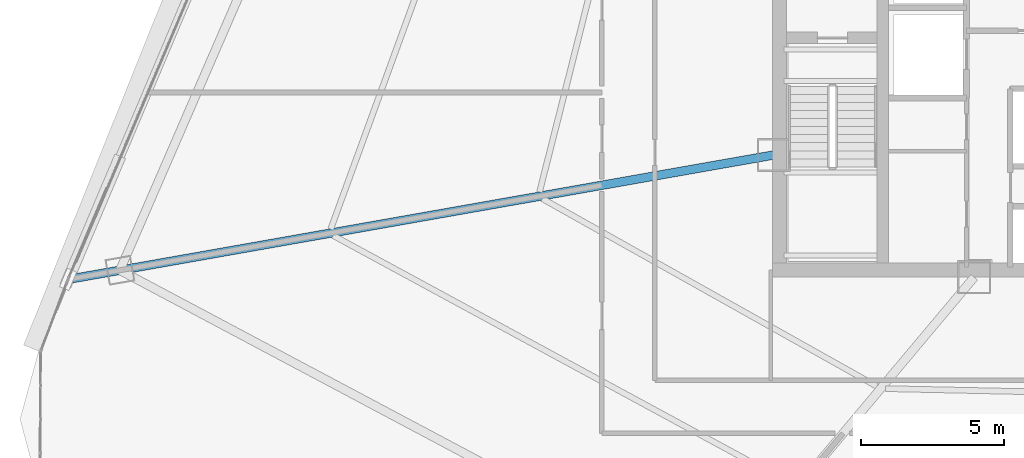
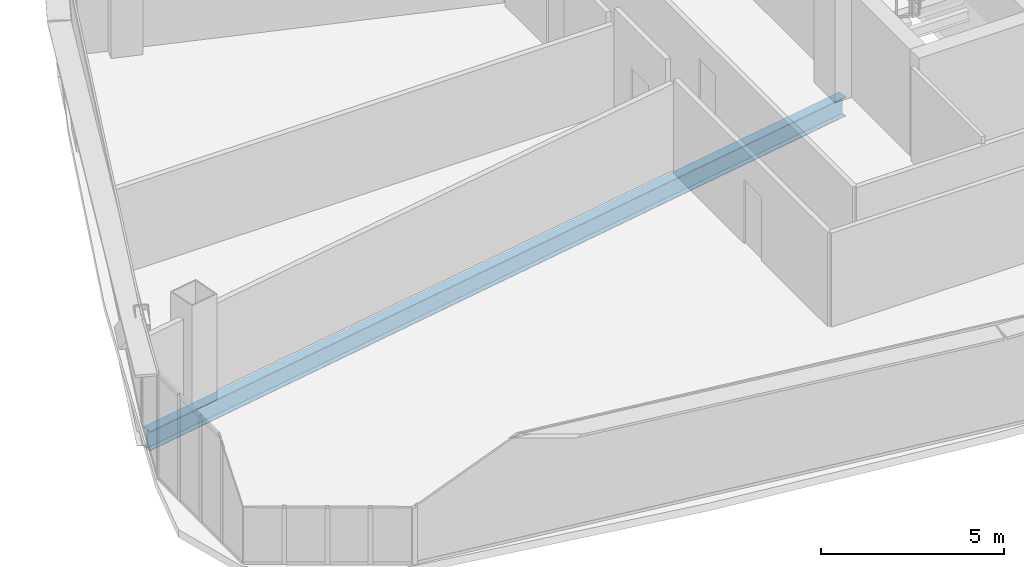
# One storey, part 5 of 38: 1 beam.
"""IFC4 building model written with IfcOpenShell, lengths in metres."""

from ifc_helpers import new_model, si_unit, direction, frame, origin, origin_2d, place, context, subcontext, project, spatial, i_section, extrude, source, transform, mapped, material, material_profile, profile_set, type_object, element, save


model = new_model("IFC4")

# Units and contexts
model_context = context("Model", 3, precision=1e-05, world=origin(), true_north=direction((0.0, 1.0)))
body_context = subcontext(model_context, "Body", "Model", "MODEL_VIEW")
ifc_project = project(units=[si_unit("LENGTHUNIT", "METRE"), si_unit("AREAUNIT", "SQUARE_METRE"), si_unit("VOLUMEUNIT", "CUBIC_METRE"), si_unit("PLANEANGLEUNIT", "RADIAN"), si_unit("MASSUNIT", "GRAM", prefix="KILO"), si_unit("THERMODYNAMICTEMPERATUREUNIT", "KELVIN"), si_unit("POWERUNIT", "WATT")], contexts=[model_context])

# Site, building, storey
site_placement = place(None, origin())
site = spatial("IfcSite", under=ifc_project, at=site_placement, CompositionType="ELEMENT")
building_placement = place(site_placement, origin())
building = spatial("IfcBuilding", under=site, at=building_placement, Name="Yunzhuo Pagoda Commons", CompositionType="ELEMENT")
storey_placement = place(building_placement, frame((0.0, 0.0, 203.760009765625)))
storey = spatial("IfcBuildingStorey", under=building, at=storey_placement, Name="L51", CompositionType="ELEMENT", Elevation=203.760009765625)

# Beam
ifc_material = material(Name="Structural steel Q355B", Category="steel")
ifc_material_profile = material_profile(ifc_material, i_section(OverallWidth=0.300048828125, OverallDepth=0.64990234375, WebThickness=0.012939453125, FlangeThickness=0.02197265625, at=origin_2d()), Name="Structural steel Q355B")
ifc_profile_set = profile_set([ifc_material_profile], Name="Structural steel Q355B")
beam_type = type_object("IfcBeamType", Name="B-RG2 Beam HN 650x300x13x22", PredefinedType="BEAM", material=ifc_profile_set)
shared_shape = source(origin(), body_context, "Body", "SweptSolid", [
    extrude(i_section(OverallWidth=0.300048828125, OverallDepth=0.64990234375, WebThickness=0.012939453125, FlangeThickness=0.02197265625, at=origin_2d()), origin(), (0.0, 0.0, 1.0), 24.83935546875),
])
beam_placement = place(storey_placement, frame((11.13818359375, 27.2001953125, -0.5849609375), z_axis=(0.98480818693, 0.17364571678, 0.0), x_axis=(-0.17364571678, 0.98480818693, 0.0)))
element("IfcBeam", 1, at=beam_placement, inside=storey, type_object=beam_type, Name="L51 radial floor girder F3C4", PredefinedType="BEAM", context=body_context, shape_type="MappedRepresentation", body=[
    mapped(shared_shape, transform((0.0, 0.0, 0.0), scale=1.0)),
])

save(model, "model.ifc")
